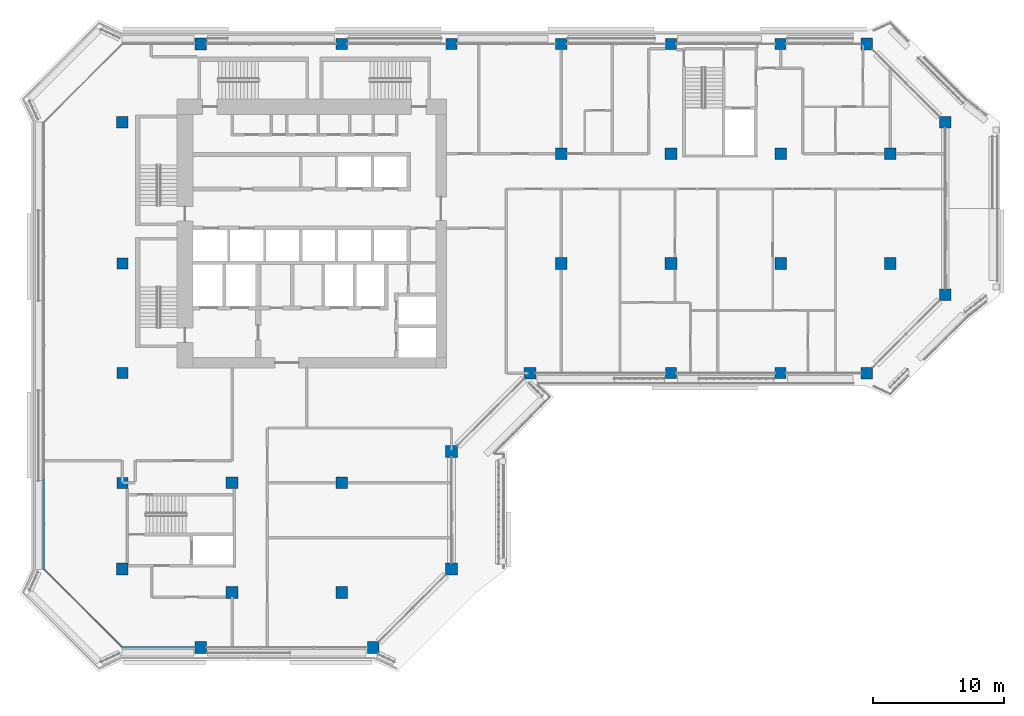
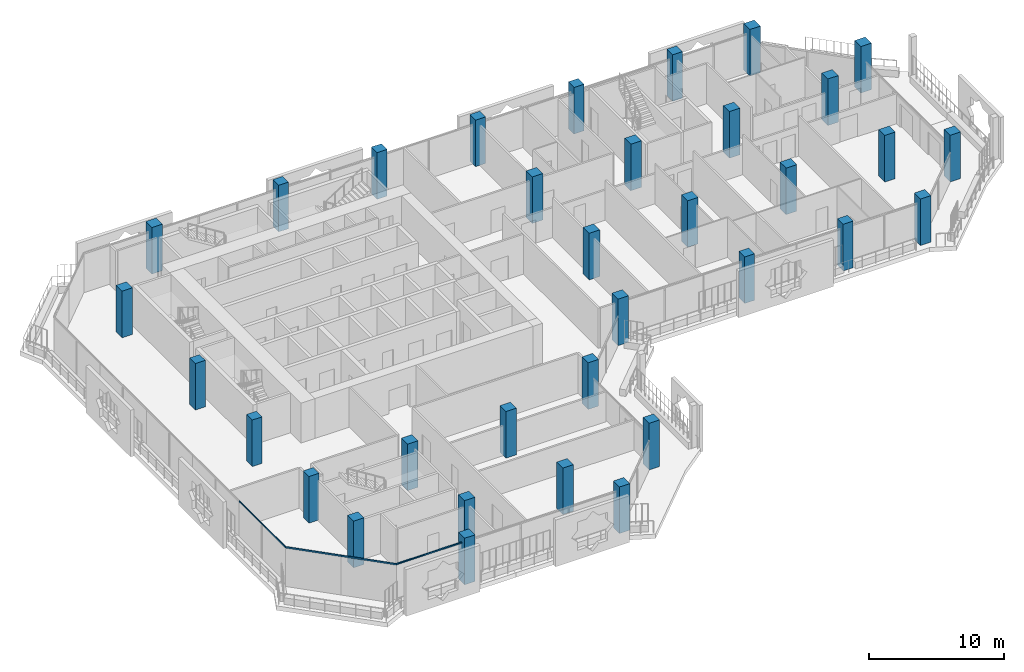
# One storey, part 1 of 20: 34 columns, 4 members, 3 elements without a shape of their own.
"""IFC4 building model written with IfcOpenShell, lengths in metres."""

from ifc_helpers import new_model, si_unit, direction, frame, origin, origin_2d, place, context, subcontext, project, spatial, rectangle, extrude, material, layer, layer_set, material_profile, profile_set, type_object, element, aggregate, save


model = new_model("IFC4")

# Units and contexts
model_context = context("Model", 3, precision=1e-05, world=origin(), true_north=direction((0.0, 1.0)))
body_context = subcontext(model_context, "Body", "Model", "MODEL_VIEW")
ifc_project = project(units=[si_unit("LENGTHUNIT", "METRE"), si_unit("AREAUNIT", "SQUARE_METRE"), si_unit("VOLUMEUNIT", "CUBIC_METRE"), si_unit("PLANEANGLEUNIT", "RADIAN"), si_unit("MASSUNIT", "GRAM", prefix="KILO")], contexts=[model_context])

# Site, building, storey
site_placement = place(None, origin())
site = spatial("IfcSite", under=ifc_project, at=site_placement, CompositionType="ELEMENT")
building_placement = place(site_placement, origin())
building = spatial("IfcBuilding", under=site, at=building_placement, Name="Kawkab Arch Medical Tower", CompositionType="ELEMENT")
storey_placement = place(building_placement, frame((0.0, 0.0, 239.0)))
storey = spatial("IfcBuildingStorey", under=building, at=storey_placement, Name="L55", CompositionType="ELEMENT", Elevation=239.0)

# Columns
ifc_material_1 = material(Name="Concrete C45/55", Category="concrete")
ifc_material_profile_1 = material_profile(ifc_material_1, rectangle(XDim=0.85009765625, YDim=0.85009765625, at=origin_2d()), Name="RC 850x850")
ifc_profile_set_1 = profile_set([ifc_material_profile_1], Name="Concrete C45/55")
column_type_1 = type_object("IfcColumnType", Name="RC 850x850 column C45/55", PredefinedType="COLUMN", material=ifc_profile_set_1)
for number, where, z_axis, x_axis, name in (
    (1, (16.800048828125, 0.0, 0.0), (0.0, 0.0, 1.0), (1.0, 0.0, 0.0), "Column RC 850x850"),
    (2, (25.199951171875, 0.0, 0.0), (0.0, 0.0, 1.0), (1.0, 0.0, 0.0), "Column RC 850x850"),
    (3, (33.60009765625, 0.0, 0.0), (0.0, 0.0, 1.0), (1.0, 0.0, 0.0), "Column RC 850x850"),
    (4, (42.0, 0.0, 0.0), (0.0, 0.0, 1.0), (1.0, 0.0, 0.0), "Column RC 850x850"),
    (5, (50.39990234375, 0.0, 0.0), (0.0, 0.0, 1.0), (1.0, 0.0, 0.0), "Column RC 850x850"),
    (6, (0.0, -16.800048828125, 0.0), (0.0, 0.0, 1.0), (1.0, 0.0, 0.0), "Column RC 850x850"),
    (7, (0.0, -25.199951171875, 0.0), (0.0, 0.0, 1.0), (1.0, 0.0, 0.0), "Column RC 850x850"),
    (8, (42.0, -25.199951171875, 0.0), (0.0, 0.0, 1.0), (1.0, 0.0, 0.0), "Column RC 850x850"),
    (9, (50.39990234375, -25.199951171875, 0.0), (0.0, 0.0, 1.0), (1.0, 0.0, 0.0), "Column RC 850x850"),
    (10, (0.0, -33.60009765625, 0.0), (0.0, 0.0, 1.0), (1.0, 0.0, 0.0), "Column RC 850x850"),
):
    element("IfcColumn", number, at=place(storey_placement, frame(where, z_axis=z_axis, x_axis=x_axis)), inside=storey, type_object=column_type_1, Name=name, PredefinedType="COLUMN", context=body_context, shape_type="SweptSolid", body=[
        extrude(rectangle(XDim=0.85009765625, YDim=0.85009765625, at=origin_2d()), origin(), (0.0, 0.0, 1.0), 4.199951171875),
    ])
ifc_material_2 = material(Name="Concrete C45/55", Category="concrete")
ifc_material_profile_2 = material_profile(ifc_material_2, rectangle(XDim=0.89990234375, YDim=0.89990234375, at=origin_2d()), Name="RC 900x900")
ifc_profile_set_2 = profile_set([ifc_material_profile_2], Name="Concrete C45/55")
column_type_2 = type_object("IfcColumnType", Name="RC 900x900 column C45/55", PredefinedType="COLUMN", material=ifc_profile_set_2)
for number, where, z_axis, x_axis, name in (
    (11, (6.0, 0.0, 0.0), (0.0, 0.0, 1.0), (1.0, 0.0, 0.0), "Column RC 900x900"),
    (12, (57.0, 0.0, 0.0), (0.0, 0.0, 1.0), (1.0, 0.0, 0.0), "Column RC 900x900"),
    (13, (0.0, -6.0, 0.0), (0.0, 0.0, 1.0), (1.0, 0.0, 0.0), "Column RC 900x900"),
    (14, (63.0, -6.0, 0.0), (0.0, 0.0, 1.0), (1.0, 0.0, 0.0), "Column RC 900x900"),
    (15, (33.60009765625, -8.39990234375, 0.0), (0.0, 0.0, 1.0), (1.0, 0.0, 0.0), "Column RC 900x900"),
    (16, (42.0, -8.39990234375, 0.0), (0.0, 0.0, 1.0), (1.0, 0.0, 0.0), "Column RC 900x900"),
    (17, (50.39990234375, -8.39990234375, 0.0), (0.0, 0.0, 1.0), (1.0, 0.0, 0.0), "Column RC 900x900"),
    (18, (58.800048828125, -8.39990234375, 0.0), (0.0, 0.0, 1.0), (1.0, 0.0, 0.0), "Column RC 900x900"),
    (19, (33.60009765625, -16.800048828125, 0.0), (0.0, 0.0, 1.0), (1.0, 0.0, 0.0), "Column RC 900x900"),
    (20, (42.0, -16.800048828125, 0.0), (0.0, 0.0, 1.0), (1.0, 0.0, 0.0), "Column RC 900x900"),
    (21, (50.39990234375, -16.800048828125, 0.0), (0.0, 0.0, 1.0), (1.0, 0.0, 0.0), "Column RC 900x900"),
    (22, (58.800048828125, -16.800048828125, 0.0), (0.0, 0.0, 1.0), (1.0, 0.0, 0.0), "Column RC 900x900"),
    (23, (63.0, -19.199951171875, 0.0), (0.0, 0.0, 1.0), (1.0, 0.0, 0.0), "Column RC 900x900"),
    (24, (31.199951171875, -25.199951171875, 0.0), (0.0, 0.0, 1.0), (1.0, 0.0, 0.0), "Column RC 900x900"),
    (25, (57.0, -25.199951171875, 0.0), (0.0, 0.0, 1.0), (1.0, 0.0, 0.0), "Column RC 900x900"),
    (26, (25.199951171875, -31.199951171875, 0.0), (0.0, 0.0, 1.0), (1.0, 0.0, 0.0), "Column RC 900x900"),
    (27, (8.39990234375, -33.60009765625, 0.0), (0.0, 0.0, 1.0), (1.0, 0.0, 0.0), "Column RC 900x900"),
    (28, (16.800048828125, -33.60009765625, 0.0), (0.0, 0.0, 1.0), (1.0, 0.0, 0.0), "Column RC 900x900"),
    (29, (0.0, -40.199951171875, 0.0), (0.0, 0.0, 1.0), (1.0, 0.0, 0.0), "Column RC 900x900"),
    (30, (25.199951171875, -40.199951171875, 0.0), (0.0, 0.0, 1.0), (1.0, 0.0, 0.0), "Column RC 900x900"),
    (31, (8.39990234375, -42.0, 0.0), (0.0, 0.0, 1.0), (1.0, 0.0, 0.0), "Column RC 900x900"),
    (32, (16.800048828125, -42.0, 0.0), (0.0, 0.0, 1.0), (1.0, 0.0, 0.0), "Column RC 900x900"),
    (33, (6.0, -46.199951171875, 0.0), (0.0, 0.0, 1.0), (1.0, 0.0, 0.0), "Column RC 900x900"),
    (34, (19.199951171875, -46.199951171875, 0.0), (0.0, 0.0, 1.0), (1.0, 0.0, 0.0), "Column RC 900x900"),
):
    element("IfcColumn", number, at=place(storey_placement, frame(where, z_axis=z_axis, x_axis=x_axis)), inside=storey, type_object=column_type_2, Name=name, PredefinedType="COLUMN", context=body_context, shape_type="SweptSolid", body=[
        extrude(rectangle(XDim=0.89990234375, YDim=0.89990234375, at=origin_2d()), origin(), (0.0, 0.0, 1.0), 4.199951171875),
    ])

# Curtain wall, member
ifc_material_3 = material(Name="Bronze anodised aluminium curtain wall frame", Category="aluminium")
ifc_layer_1 = layer(ifc_material_3, 0.159912109375)
ifc_layer_set_1 = layer_set([ifc_layer_1], Name="Bronze anodised aluminium curtain wall frame")
curtain_wall_type_1 = type_object("IfcCurtainWallType", Name="CW1 ward curtain wall", PredefinedType="NOTDEFINED", material=ifc_layer_set_1)
placement = place(storey_placement, origin())
curtain_wall_1 = element("IfcCurtainWall", 35, at=placement, inside=storey, type_object=curtain_wall_type_1, Name="CW1 Ward curtain wall R01", PredefinedType="NOTDEFINED")
ifc_material_4 = material(Name="Bronze anodised aluminium curtain wall frame", Category="aluminium")
ifc_material_profile_3 = material_profile(ifc_material_4, rectangle(XDim=0.06005859375, YDim=0.1201171875, at=origin_2d()), Name="AL 60x120")
ifc_profile_set_3 = profile_set([ifc_material_profile_3], Name="Bronze anodised aluminium curtain wall frame")
member_type_1 = type_object("IfcMemberType", Name="CW1 transom 120 x 60", PredefinedType="USERDEFINED", material=ifc_profile_set_3)
member_1_placement = place(storey_placement, frame((-6.0, -33.360107421875, 3.5400390625), z_axis=(0.0, -1.0, 0.0), x_axis=(1.0, 0.0, 0.0)))
member_1 = element("IfcMember", 36, at=member_1_placement, type_object=member_type_1, Name="CW1 transom 5", ObjectType="TRANSOM", PredefinedType="USERDEFINED", context=body_context, shape_type="SweptSolid", body=[
    extrude(rectangle(XDim=0.06005859375, YDim=0.1201171875, at=origin_2d()), origin(), (0.0, 0.0, 1.0), 6.83984375),
])
aggregate(curtain_wall_1, [member_1])

curtain_wall_2 = element("IfcCurtainWall", 37, at=placement, inside=storey, type_object=curtain_wall_type_1, Name="CW1 Ward curtain wall R03", PredefinedType="NOTDEFINED")
member_2_placement = place(storey_placement, frame((0.0, -46.199951171875, 3.5400390625), z_axis=(1.0, 0.0, 0.0), x_axis=(0.0, 1.0, 0.0)))
member_2 = element("IfcMember", 38, at=member_2_placement, type_object=member_type_1, Name="CW1 transom 1", ObjectType="TRANSOM", PredefinedType="USERDEFINED", context=body_context, shape_type="SweptSolid", body=[
    extrude(rectangle(XDim=0.06005859375, YDim=0.1201171875, at=origin_2d()), origin(), (0.0, 0.0, 1.0), 5.550048828125),
])
aggregate(curtain_wall_2, [member_2])

# Curtain wall, members
ifc_material_5 = material(Name="Bronze anodised aluminium curtain wall frame", Category="aluminium")
ifc_layer_2 = layer(ifc_material_5, 0.159912109375)
ifc_layer_set_2 = layer_set([ifc_layer_2], Name="Bronze anodised aluminium curtain wall frame")
curtain_wall_type_2 = type_object("IfcCurtainWallType", Name="CW2 chamfer curtain wall", PredefinedType="NOTDEFINED", material=ifc_layer_set_2)
curtain_wall_3 = element("IfcCurtainWall", 39, at=placement, inside=storey, type_object=curtain_wall_type_2, Name="CW2 Chamfer curtain wall R02", PredefinedType="NOTDEFINED")
ifc_material_6 = material(Name="Bronze anodised aluminium curtain wall frame", Category="aluminium")
ifc_material_profile_4 = material_profile(ifc_material_6, rectangle(XDim=0.06005859375, YDim=0.139892578125, at=origin_2d()), Name="AL 60x140")
ifc_profile_set_4 = profile_set([ifc_material_profile_4], Name="Bronze anodised aluminium curtain wall frame")
member_type_2 = type_object("IfcMemberType", Name="CW2 transom 140 x 60", PredefinedType="USERDEFINED", material=ifc_profile_set_4)
member_3_placement = place(storey_placement, frame((-6.0, -40.199951171875, 3.530029296875), z_axis=(0.707106781187, -0.707106781187, 0.0), x_axis=(0.707106781187, 0.707106781187, 0.0)))
member_3 = element("IfcMember", 40, at=member_3_placement, type_object=member_type_2, Name="CW2 transom 1", ObjectType="TRANSOM", PredefinedType="USERDEFINED", context=body_context, shape_type="SweptSolid", body=[
    extrude(rectangle(XDim=0.06005859375, YDim=0.139892578125, at=origin_2d()), origin(), (0.0, 0.0, 1.0), 4.24267578125),
])
member_4_placement = place(storey_placement, frame((-3.0, -43.199951171875, 3.530029296875), z_axis=(0.707106781187, -0.707106781187, 0.0), x_axis=(0.707106781187, 0.707106781187, 0.0)))
member_4 = element("IfcMember", 41, at=member_4_placement, type_object=member_type_2, Name="CW2 transom 2", ObjectType="TRANSOM", PredefinedType="USERDEFINED", context=body_context, shape_type="SweptSolid", body=[
    extrude(rectangle(XDim=0.06005859375, YDim=0.139892578125, at=origin_2d()), origin(), (0.0, 0.0, 1.0), 4.24267578125),
])
aggregate(curtain_wall_3, [member_3, member_4])

save(model, "model.ifc")
